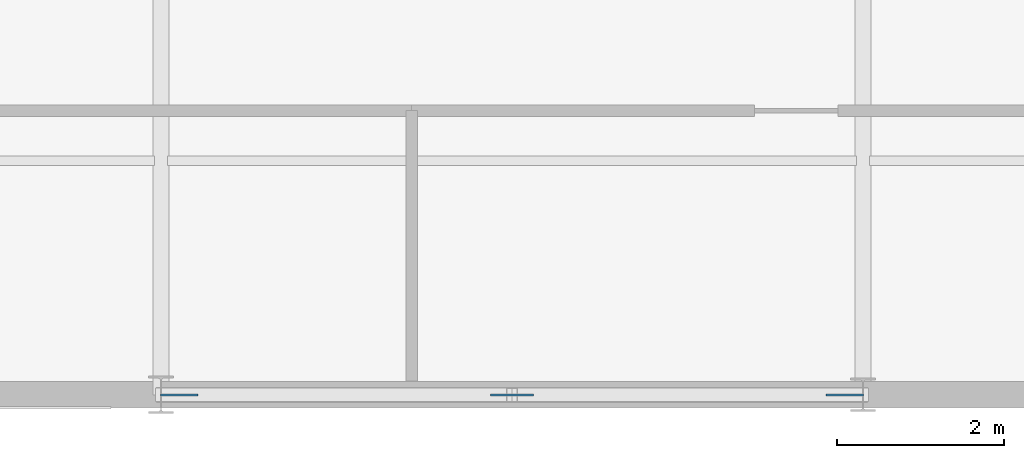
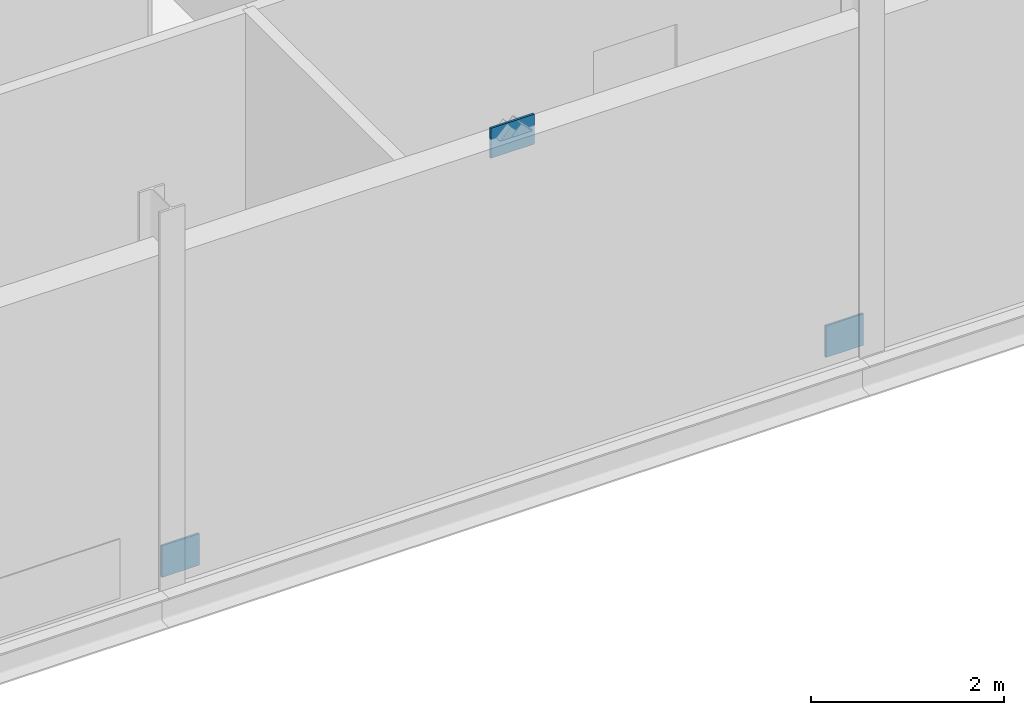
# One storey, part 26 of 28: 3 discrete accessories.
"""IFC4 building model written with IfcOpenShell, lengths in metres."""

from ifc_helpers import new_model, si_unit, direction, frame, origin, origin_2d, place, context, subcontext, project, spatial, rectangle, extrude, material, type_object, element, save


model = new_model("IFC4")

# Units and contexts
model_context = context("Model", 3, precision=1e-05, world=origin(), true_north=direction((0.0, 1.0)))
body_context = subcontext(model_context, "Body", "Model", "MODEL_VIEW")
ifc_project = project(units=[si_unit("LENGTHUNIT", "METRE"), si_unit("AREAUNIT", "SQUARE_METRE"), si_unit("VOLUMEUNIT", "CUBIC_METRE"), si_unit("PLANEANGLEUNIT", "RADIAN"), si_unit("MASSUNIT", "GRAM", prefix="KILO")], contexts=[model_context])

# Site, building, storey
site_placement = place(None, origin())
site = spatial("IfcSite", under=ifc_project, at=site_placement, CompositionType="ELEMENT")
building_placement = place(site_placement, origin())
building = spatial("IfcBuilding", under=site, at=building_placement, Name="Qalvenar Corner Mobility Hub", CompositionType="ELEMENT")
storey_placement = place(building_placement, frame((0.0, 0.0, 21.60009765625)))
storey = spatial("IfcBuildingStorey", under=building, at=storey_placement, Name="L05", CompositionType="ELEMENT", Elevation=21.60009765625)

# Discrete accessories
ifc_material = material(Name="Steel S355", Category="steel")
discrete_accessory_type = type_object("IfcDiscreteAccessoryType", Name="ACC-GUSSET-PLT", PredefinedType="BRACKET", material=ifc_material)
discrete_accessory_placement = place(storey_placement, frame((21.0, 0.0, 3.929931640625), z_axis=(0.0, 0.0, 1.0), x_axis=(1.0, 0.0, 0.0)))
element("IfcDiscreteAccessory", 1, at=discrete_accessory_placement, inside=storey, type_object=discrete_accessory_type, Name="Chevron Apex Gusset Plate GP-A-079", PredefinedType="BRACKET", context=body_context, shape_type="SweptSolid", body=[
    extrude(rectangle(XDim=0.52001953125, YDim=0.02490234375, at=origin_2d()), origin(), (0.0, 0.0, 1.0), 0.3798828125),
])
for number, where, z_axis, x_axis, name in (
    (2, (17.02001953125, 0.0, 0.0), (0.0, 0.0, 1.0), (1.0, 0.0, 0.0), "Brace Base Gusset Plate GP-B-080"),
    (3, (24.97998046875, 0.0, 0.0), (0.0, 0.0, 1.0), (1.0, 0.0, 0.0), "Brace Base Gusset Plate GP-B-081"),
):
    element("IfcDiscreteAccessory", number, at=place(storey_placement, frame(where, z_axis=z_axis, x_axis=x_axis)), inside=storey, type_object=discrete_accessory_type, Name=name, PredefinedType="BRACKET", context=body_context, shape_type="SweptSolid", body=[
        extrude(rectangle(XDim=0.449951171875, YDim=0.02490234375, at=origin_2d()), origin(), (0.0, 0.0, 1.0), 0.39990234375),
    ])

save(model, "model.ifc")
